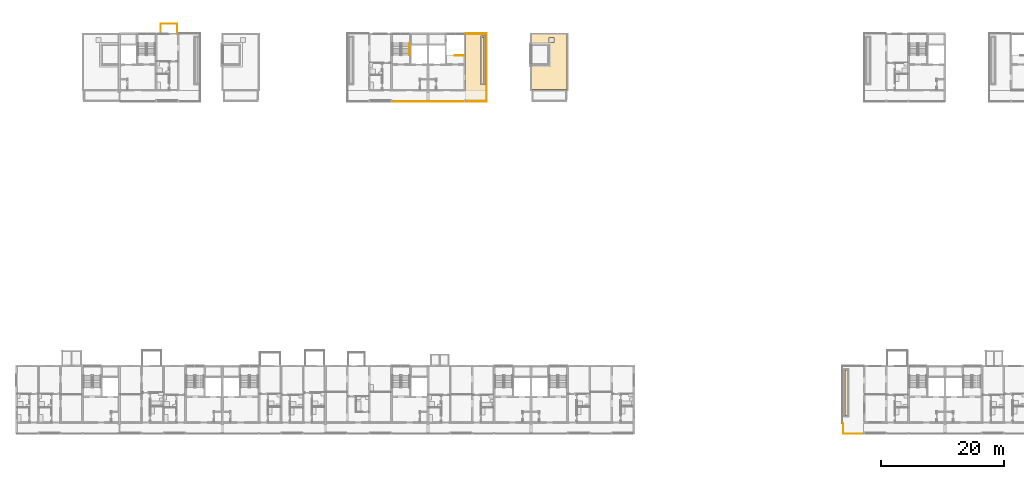
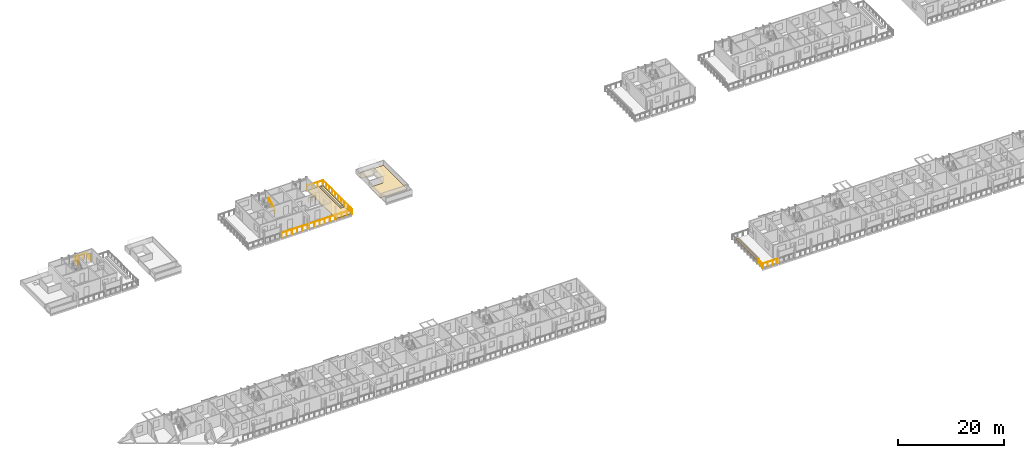
# One storey, part 76 of 87: 10 railings, 5 coverings.
"""IFC4 building model written with IfcOpenShell, lengths in metres."""

from ifc_helpers import new_model, si_unit, direction, frame, origin, origin_2d, place, context, subcontext, project, spatial, polyline, circle, outline, extrude, material, layer, layer_set, type_object, element, save


model = new_model("IFC4")

# Units and contexts
model_context = context("Model", 3, precision=1e-05, world=origin(), true_north=direction((0.0, 1.0)))
body_context = subcontext(model_context, "Body", "Model", "MODEL_VIEW")
ifc_project = project(units=[si_unit("LENGTHUNIT", "METRE"), si_unit("AREAUNIT", "SQUARE_METRE"), si_unit("VOLUMEUNIT", "CUBIC_METRE"), si_unit("PLANEANGLEUNIT", "RADIAN"), si_unit("MASSUNIT", "GRAM", prefix="KILO")], contexts=[model_context])

# Site, building, storey
site_placement = place(None, origin())
site = spatial("IfcSite", under=ifc_project, at=site_placement, CompositionType="ELEMENT")
building_placement = place(site_placement, origin())
building = spatial("IfcBuilding", under=site, at=building_placement, Name="Ridgestep Commons", CompositionType="ELEMENT")
storey_placement = place(building_placement, frame((0.0, 0.0, 27.0)))
storey = spatial("IfcBuildingStorey", under=building, at=storey_placement, Name="L09", CompositionType="ELEMENT", Elevation=27.0)

# Railings
ifc_material_1 = material(Name="Structural steel S355JR", Category="steel")
railing_type_1 = type_object("IfcRailingType", Name="Guard 1100", PredefinedType="GUARDRAIL", material=ifc_material_1)
railing_1_placement = place(storey_placement, frame((88.779052734375, 67.821044921875, 0.0)))
element("IfcRailing", 1, at=railing_1_placement, inside=storey, type_object=railing_type_1, Name="Guard TD-B5R3-GD", PredefinedType="GUARDRAIL", context=body_context, shape_type="SweptSolid", body=[
    extrude(circle(Radius=0.02392578125, at=origin_2d()), frame((0.0, 0.0, 1.076171875), z_axis=(0.0, 1.0, 0.0), x_axis=(-1.0, 0.0, 0.0)), (0.0, 0.0, 1.0), 9.303955078125),
    extrude(circle(Radius=0.02392578125, at=origin_2d()), frame((0.0, 9.303955078125, 1.076171875), z_axis=(-1.0, 0.0, 0.0), x_axis=(0.0, -1.0, 0.0)), (0.0, 0.0, 1.0), 3.43310546875),
    extrude(circle(Radius=0.02099609375, at=origin_2d()), origin(), (0.0, 0.0, 1.0), 1.052001953125),
    extrude(circle(Radius=0.02099609375, at=origin_2d()), frame((0.0, 1.1630859375, 0.0)), (0.0, 0.0, 1.0), 1.052001953125),
    extrude(circle(Radius=0.02099609375, at=origin_2d()), frame((0.0, 2.325927734375, 0.0)), (0.0, 0.0, 1.0), 1.052001953125),
    extrude(circle(Radius=0.02099609375, at=origin_2d()), frame((0.0, 3.489013671875, 0.0)), (0.0, 0.0, 1.0), 1.052001953125),
    extrude(circle(Radius=0.02099609375, at=origin_2d()), frame((0.0, 4.65185546875, 0.0)), (0.0, 0.0, 1.0), 1.052001953125),
    extrude(circle(Radius=0.02099609375, at=origin_2d()), frame((0.0, 5.81494140625, 0.0)), (0.0, 0.0, 1.0), 1.052001953125),
    extrude(circle(Radius=0.02099609375, at=origin_2d()), frame((0.0, 6.97802734375, 0.0)), (0.0, 0.0, 1.0), 1.052001953125),
    extrude(circle(Radius=0.02099609375, at=origin_2d()), frame((0.0, 8.140869140625, 0.0)), (0.0, 0.0, 1.0), 1.052001953125),
    extrude(circle(Radius=0.02099609375, at=origin_2d()), frame((0.0, 9.303955078125, 0.0)), (0.0, 0.0, 1.0), 1.052001953125),
    extrude(circle(Radius=0.02099609375, at=origin_2d()), frame((-1.144287109375, 9.303955078125, 0.0)), (0.0, 0.0, 1.0), 1.052001953125),
    extrude(circle(Radius=0.02099609375, at=origin_2d()), frame((-2.288818359375, 9.303955078125, 0.0)), (0.0, 0.0, 1.0), 1.052001953125),
    extrude(circle(Radius=0.02099609375, at=origin_2d()), frame((-3.43310546875, 9.303955078125, 0.0)), (0.0, 0.0, 1.0), 1.052001953125),
])
railing_2_placement = place(storey_placement, frame((147.06103515625, 11.800048828125, 0.0)))
element("IfcRailing", 2, at=railing_2_placement, inside=storey, type_object=railing_type_1, Name="Gallery guard D 09.1", PredefinedType="GUARDRAIL", context=body_context, shape_type="SweptSolid", body=[
    extrude(circle(Radius=0.02392578125, at=origin_2d()), frame((0.0, 0.0, 1.076171875), z_axis=(1.0, 0.0, 0.0), x_axis=(0.0, 1.0, 0.0)), (0.0, 0.0, 1.0), 3.19287109375),
    extrude(circle(Radius=0.02099609375, at=origin_2d()), origin(), (0.0, 0.0, 1.0), 1.052001953125),
    extrude(circle(Radius=0.02099609375, at=origin_2d()), frame((1.064208984375, 0.0, 0.0)), (0.0, 0.0, 1.0), 1.052001953125),
    extrude(circle(Radius=0.02099609375, at=origin_2d()), frame((2.128662109375, 0.0, 0.0)), (0.0, 0.0, 1.0), 1.052001953125),
    extrude(circle(Radius=0.02099609375, at=origin_2d()), frame((3.19287109375, 0.0, 0.0)), (0.0, 0.0, 1.0), 1.052001953125),
])
railing_3_placement = place(storey_placement, frame((146.970947265625, 11.800048828125, 0.0)))
element("IfcRailing", 3, at=railing_3_placement, inside=storey, type_object=railing_type_1, Name="Gallery end guard D 09.1W", PredefinedType="GUARDRAIL", context=body_context, shape_type="SweptSolid", body=[
    extrude(circle(Radius=0.02392578125, at=origin_2d()), frame((0.0, 0.0, 1.076171875), z_axis=(0.0, 1.0, 0.0), x_axis=(-1.0, 0.0, 0.0)), (0.0, 0.0, 1.0), 1.72900390625),
    extrude(circle(Radius=0.02099609375, at=origin_2d()), origin(), (0.0, 0.0, 1.0), 1.052001953125),
    extrude(circle(Radius=0.02099609375, at=origin_2d()), frame((0.0, 0.864501953125, 0.0)), (0.0, 0.0, 1.0), 1.052001953125),
    extrude(circle(Radius=0.02099609375, at=origin_2d()), frame((0.0, 1.72900390625, 0.0)), (0.0, 0.0, 1.0), 1.052001953125),
])
railing_4_placement = place(storey_placement, frame((73.345947265625, 66.050048828125, 0.0)))
element("IfcRailing", 4, at=railing_4_placement, inside=storey, type_object=railing_type_1, Name="Gallery guard B 09.3", PredefinedType="GUARDRAIL", context=body_context, shape_type="SweptSolid", body=[
    extrude(circle(Radius=0.02392578125, at=origin_2d()), frame((0.0, 0.0, 1.076171875), z_axis=(1.0, 0.0, 0.0), x_axis=(0.0, 1.0, 0.0)), (0.0, 0.0, 1.0), 5.68310546875),
    extrude(circle(Radius=0.02099609375, at=origin_2d()), origin(), (0.0, 0.0, 1.0), 1.052001953125),
    extrude(circle(Radius=0.02099609375, at=origin_2d()), frame((1.13671875, 0.0, 0.0)), (0.0, 0.0, 1.0), 1.052001953125),
    extrude(circle(Radius=0.02099609375, at=origin_2d()), frame((2.273193359375, 0.0, 0.0)), (0.0, 0.0, 1.0), 1.052001953125),
    extrude(circle(Radius=0.02099609375, at=origin_2d()), frame((3.409912109375, 0.0, 0.0)), (0.0, 0.0, 1.0), 1.052001953125),
    extrude(circle(Radius=0.02099609375, at=origin_2d()), frame((4.54638671875, 0.0, 0.0)), (0.0, 0.0, 1.0), 1.052001953125),
    extrude(circle(Radius=0.02099609375, at=origin_2d()), frame((5.68310546875, 0.0, 0.0)), (0.0, 0.0, 1.0), 1.052001953125),
])
railing_5_placement = place(storey_placement, frame((79.37109375, 66.050048828125, 0.0)))
element("IfcRailing", 5, at=railing_5_placement, inside=storey, type_object=railing_type_1, Name="Gallery guard B 09.4", PredefinedType="GUARDRAIL", context=body_context, shape_type="SweptSolid", body=[
    extrude(circle(Radius=0.02392578125, at=origin_2d()), frame((0.0, 0.0, 1.076171875), z_axis=(1.0, 0.0, 0.0), x_axis=(0.0, 1.0, 0.0)), (0.0, 0.0, 1.0), 5.682861328125),
    extrude(circle(Radius=0.02099609375, at=origin_2d()), origin(), (0.0, 0.0, 1.0), 1.052001953125),
    extrude(circle(Radius=0.02099609375, at=origin_2d()), frame((1.136474609375, 0.0, 0.0)), (0.0, 0.0, 1.0), 1.052001953125),
    extrude(circle(Radius=0.02099609375, at=origin_2d()), frame((2.273193359375, 0.0, 0.0)), (0.0, 0.0, 1.0), 1.052001953125),
    extrude(circle(Radius=0.02099609375, at=origin_2d()), frame((3.40966796875, 0.0, 0.0)), (0.0, 0.0, 1.0), 1.052001953125),
    extrude(circle(Radius=0.02099609375, at=origin_2d()), frame((4.54638671875, 0.0, 0.0)), (0.0, 0.0, 1.0), 1.052001953125),
    extrude(circle(Radius=0.02099609375, at=origin_2d()), frame((5.682861328125, 0.0, 0.0)), (0.0, 0.0, 1.0), 1.052001953125),
])
railing_6_placement = place(storey_placement, frame((85.345947265625, 66.050048828125, 0.0)))
element("IfcRailing", 6, at=railing_6_placement, inside=storey, type_object=railing_type_1, Name="Gallery guard B 09.5", PredefinedType="GUARDRAIL", context=body_context, shape_type="SweptSolid", body=[
    extrude(circle(Radius=0.02392578125, at=origin_2d()), frame((0.0, 0.0, 1.076171875), z_axis=(1.0, 0.0, 0.0), x_axis=(0.0, 1.0, 0.0)), (0.0, 0.0, 1.0), 3.3701171875),
    extrude(circle(Radius=0.02099609375, at=origin_2d()), origin(), (0.0, 0.0, 1.0), 1.052001953125),
    extrude(circle(Radius=0.02099609375, at=origin_2d()), frame((1.123291015625, 0.0, 0.0)), (0.0, 0.0, 1.0), 1.052001953125),
    extrude(circle(Radius=0.02099609375, at=origin_2d()), frame((2.246826171875, 0.0, 0.0)), (0.0, 0.0, 1.0), 1.052001953125),
    extrude(circle(Radius=0.02099609375, at=origin_2d()), frame((3.3701171875, 0.0, 0.0)), (0.0, 0.0, 1.0), 1.052001953125),
])
railing_7_placement = place(storey_placement, frame((88.779052734375, 66.050048828125, 0.0)))
element("IfcRailing", 7, at=railing_7_placement, inside=storey, type_object=railing_type_1, Name="Gallery end guard B 09.5E", PredefinedType="GUARDRAIL", context=body_context, shape_type="SweptSolid", body=[
    extrude(circle(Radius=0.02392578125, at=origin_2d()), frame((0.0, 0.0, 1.076171875), z_axis=(0.0, 1.0, 0.0), x_axis=(-1.0, 0.0, 0.0)), (0.0, 0.0, 1.0), 1.72900390625),
    extrude(circle(Radius=0.02099609375, at=origin_2d()), origin(), (0.0, 0.0, 1.0), 1.052001953125),
    extrude(circle(Radius=0.02099609375, at=origin_2d()), frame((0.0, 0.864501953125, 0.0)), (0.0, 0.0, 1.0), 1.052001953125),
    extrude(circle(Radius=0.02099609375, at=origin_2d()), frame((0.0, 1.72900390625, 0.0)), (0.0, 0.0, 1.0), 1.052001953125),
])

# Coverings
ifc_material_2 = material(Name="Planting soil")
ifc_layer_1 = layer(ifc_material_2, 0.35009765625)
ifc_layer_set_1 = layer_set([ifc_layer_1], Name="Planting soil 350")
covering_type_1 = type_object("IfcCoveringType", Name="Planting soil 350", PredefinedType="FLOORING", material=ifc_layer_set_1)
covering_1_placement = place(storey_placement, frame((0.0, 0.0, 0.010009765625)))
element("IfcCovering", 8, at=covering_1_placement, inside=storey, type_object=covering_type_1, Name="Planting soil D1R1", PredefinedType="FLOORING", context=body_context, shape_type="SweptSolid", body=[
    extrude(outline(polyline([(147.25, 14.75), (147.64990234375, 14.75), (147.64990234375, 22.25), (147.25, 22.25), (147.25, 14.75)])), origin(), (0.0, 0.0, 1.0), 0.35009765625),
])
covering_2_placement = place(storey_placement, frame((0.0, 0.0, 0.010009765625)))
element("IfcCovering", 9, at=covering_2_placement, inside=storey, type_object=covering_type_1, Name="Planting soil B5R3", PredefinedType="FLOORING", context=body_context, shape_type="SweptSolid", body=[
    extrude(outline(polyline([(87.949951171875, 69.0), (88.35009765625, 69.0), (88.35009765625, 76.5), (87.949951171875, 76.5), (87.949951171875, 69.0)])), origin(), (0.0, 0.0, 1.0), 0.35009765625),
])
ifc_material_3 = material(Name="Bitumen membrane, two layer")
ifc_layer_2 = layer(ifc_material_3, 0.011962890625)
ifc_layer_set_2 = layer_set([ifc_layer_2], Name="Roof membrane 12")
covering_type_2 = type_object("IfcCoveringType", Name="Roof membrane 12", PredefinedType="ROOFING", material=ifc_layer_set_2)
covering_3_placement = place(storey_placement, origin())
element("IfcCovering", 10, at=covering_3_placement, inside=storey, type_object=covering_type_2, Name="Roof membrane B6C", PredefinedType="ROOFING", context=body_context, shape_type="SweptSolid", body=[
    extrude(outline(polyline([(101.89990234375, 77.02490234375), (101.89990234375, 68.0), (96.10009765625, 68.0), (96.10009765625, 72.0), (98.97509765625, 72.0), (98.97509765625, 75.39990234375), (96.10009765625, 75.39990234375), (96.10009765625, 77.02490234375), (101.89990234375, 77.02490234375)]), holes=[polyline([(99.77490234375, 76.5), (98.97509765625, 76.5), (98.97509765625, 75.699951171875), (99.77490234375, 75.699951171875), (99.77490234375, 76.5)])]), origin(), (0.0, 0.0, 1.0), 0.011962890625),
])

# Railings
ifc_material_4 = material(Name="Structural steel S355JR", Category="steel")
railing_type_2 = type_object("IfcRailingType", Name="Stair guard 1100", PredefinedType="GUARDRAIL", material=ifc_material_4)
railing_8_placement = place(storey_placement, frame((85.074951171875, 73.550048828125, 0.0)))
element("IfcRailing", 11, at=railing_8_placement, inside=storey, type_object=railing_type_2, Name="L09 B5C top well guard 1", PredefinedType="GUARDRAIL", context=body_context, shape_type="SweptSolid", body=[
    extrude(circle(Radius=0.02392578125, at=origin_2d()), frame((0.0, 0.0, 1.076171875), z_axis=(-1.0, 0.0, 0.0), x_axis=(0.0, -1.0, 0.0)), (0.0, 0.0, 1.0), 1.5),
    extrude(circle(Radius=0.02099609375, at=origin_2d()), origin(), (0.0, 0.0, 1.0), 1.052001953125),
    extrude(circle(Radius=0.02099609375, at=origin_2d()), frame((-0.75, 0.0, 0.0)), (0.0, 0.0, 1.0), 1.052001953125),
    extrude(circle(Radius=0.02099609375, at=origin_2d()), frame((-1.5, 0.0, 0.0)), (0.0, 0.0, 1.0), 1.052001953125),
])
ifc_material_5 = material(Name="Structural steel S355JR", Category="steel")
railing_type_3 = type_object("IfcRailingType", Name="Stair handrail 900", PredefinedType="HANDRAIL", material=ifc_material_5)
railing_9_placement = place(storey_placement, frame((76.175048828125, 73.60009765625, 0.1875)))
element("IfcRailing", 12, at=railing_9_placement, inside=storey, type_object=railing_type_3, Name="L09 B4C stair handrail 1", PredefinedType="HANDRAIL", context=body_context, shape_type="SweptSolid", body=[
    extrude(circle(Radius=0.02392578125, at=origin_2d()), frame((0.0, 0.0, 0.8759765625), z_axis=(0.0, 0.830902050051, 0.556418712142), x_axis=(-1.0, 0.0, 0.0)), (0.0, 0.0, 1.0), 2.35888671875),
    extrude(circle(Radius=0.02099609375, at=origin_2d()), origin(), (0.0, 0.0, 1.0), 0.851806640625),
    extrude(circle(Radius=0.02099609375, at=origin_2d()), frame((0.0, 0.97998046875, 0.65625)), (0.0, 0.0, 1.0), 0.851806640625),
    extrude(circle(Radius=0.02099609375, at=origin_2d()), frame((0.0, 1.9599609375, 1.3125)), (0.0, 0.0, 1.0), 0.851806640625),
])

# Coverings
ifc_material_6 = material(Name="Bitumen membrane, two layer")
ifc_layer_3 = layer(ifc_material_6, 0.010009765625)
ifc_layer_set_3 = layer_set([ifc_layer_3], Name="Terrace membrane 10")
covering_type_3 = type_object("IfcCoveringType", Name="Terrace membrane 10", PredefinedType="ROOFING", material=ifc_layer_set_3)
covering_4_placement = place(storey_placement, origin())
element("IfcCovering", 13, at=covering_4_placement, inside=storey, type_object=covering_type_3, Name="Terrace membrane B5R3", PredefinedType="ROOFING", context=body_context, shape_type="SweptSolid", body=[
    extrude(outline(polyline([(88.675048828125, 66.25), (88.675048828125, 77.0), (85.35009765625, 77.0), (85.35009765625, 66.25), (88.675048828125, 66.25)]), holes=[polyline([(88.550048828125, 68.800048828125), (88.550048828125, 76.699951171875), (87.75, 76.699951171875), (87.75, 68.800048828125), (88.550048828125, 68.800048828125)])]), origin(), (0.0, 0.0, 1.0), 0.010009765625),
])
ifc_material_7 = material(Name="Concrete paving slab", Category="concrete")
ifc_layer_4 = layer(ifc_material_7, 0.030029296875)
ifc_layer_set_4 = layer_set([ifc_layer_4], Name="Terrace paving 30")
covering_type_4 = type_object("IfcCoveringType", Name="Terrace paving 30", PredefinedType="FLOORING", material=ifc_layer_set_4)
covering_5_placement = place(storey_placement, frame((0.0, 0.0, 0.010009765625)))
element("IfcCovering", 14, at=covering_5_placement, inside=storey, type_object=covering_type_4, Name="Terrace paving B5R3", PredefinedType="FLOORING", context=body_context, shape_type="SweptSolid", body=[
    extrude(outline(polyline([(88.675048828125, 66.25), (88.675048828125, 77.0), (85.35009765625, 77.0), (85.35009765625, 66.25), (88.675048828125, 66.25)]), holes=[polyline([(88.550048828125, 68.800048828125), (88.550048828125, 76.699951171875), (87.75, 76.699951171875), (87.75, 68.800048828125), (88.550048828125, 68.800048828125)])]), origin(), (0.0, 0.0, 1.0), 0.030029296875),
])

# Railing
ifc_material_8 = material(Name="Weathering steel S355J2W", Category="steel")
railing_type_4 = type_object("IfcRailingType", Name="Tray guard 1100", PredefinedType="GUARDRAIL", material=ifc_material_8)
railing_10_placement = place(storey_placement, frame((35.551025390625, 77.27099609375, 0.0)))
element("IfcRailing", 15, at=railing_10_placement, inside=storey, type_object=railing_type_4, Name="Tray guard B2T3-09", PredefinedType="GUARDRAIL", context=body_context, shape_type="SweptSolid", body=[
    extrude(circle(Radius=0.02392578125, at=origin_2d()), frame((0.0, 0.0, 1.076171875), z_axis=(0.0, 1.0, 0.0), x_axis=(-1.0, 0.0, 0.0)), (0.0, 0.0, 1.0), 1.4580078125),
    extrude(circle(Radius=0.02392578125, at=origin_2d()), frame((0.0, 1.4580078125, 1.076171875), z_axis=(1.0, 0.0, 0.0), x_axis=(0.0, 1.0, 0.0)), (0.0, 0.0, 1.0), 2.697998046875),
    extrude(circle(Radius=0.02392578125, at=origin_2d()), frame((2.697998046875, 1.4580078125, 1.076171875), z_axis=(0.0, -1.0, 0.0), x_axis=(1.0, 0.0, 0.0)), (0.0, 0.0, 1.0), 1.4580078125),
    extrude(circle(Radius=0.02099609375, at=origin_2d()), origin(), (0.0, 0.0, 1.0), 1.052001953125),
    extrude(circle(Radius=0.02099609375, at=origin_2d()), frame((0.0, 0.72900390625, 0.0)), (0.0, 0.0, 1.0), 1.052001953125),
    extrude(circle(Radius=0.02099609375, at=origin_2d()), frame((0.0, 1.4580078125, 0.0)), (0.0, 0.0, 1.0), 1.052001953125),
    extrude(circle(Radius=0.02099609375, at=origin_2d()), frame((0.8994140625, 1.4580078125, 0.0)), (0.0, 0.0, 1.0), 1.052001953125),
    extrude(circle(Radius=0.02099609375, at=origin_2d()), frame((1.798583984375, 1.4580078125, 0.0)), (0.0, 0.0, 1.0), 1.052001953125),
    extrude(circle(Radius=0.02099609375, at=origin_2d()), frame((2.697998046875, 1.4580078125, 0.0)), (0.0, 0.0, 1.0), 1.052001953125),
    extrude(circle(Radius=0.02099609375, at=origin_2d()), frame((2.697998046875, 0.72900390625, 0.0)), (0.0, 0.0, 1.0), 1.052001953125),
    extrude(circle(Radius=0.02099609375, at=origin_2d()), frame((2.697998046875, 0.0, 0.0)), (0.0, 0.0, 1.0), 1.052001953125),
])

save(model, "model.ifc")
